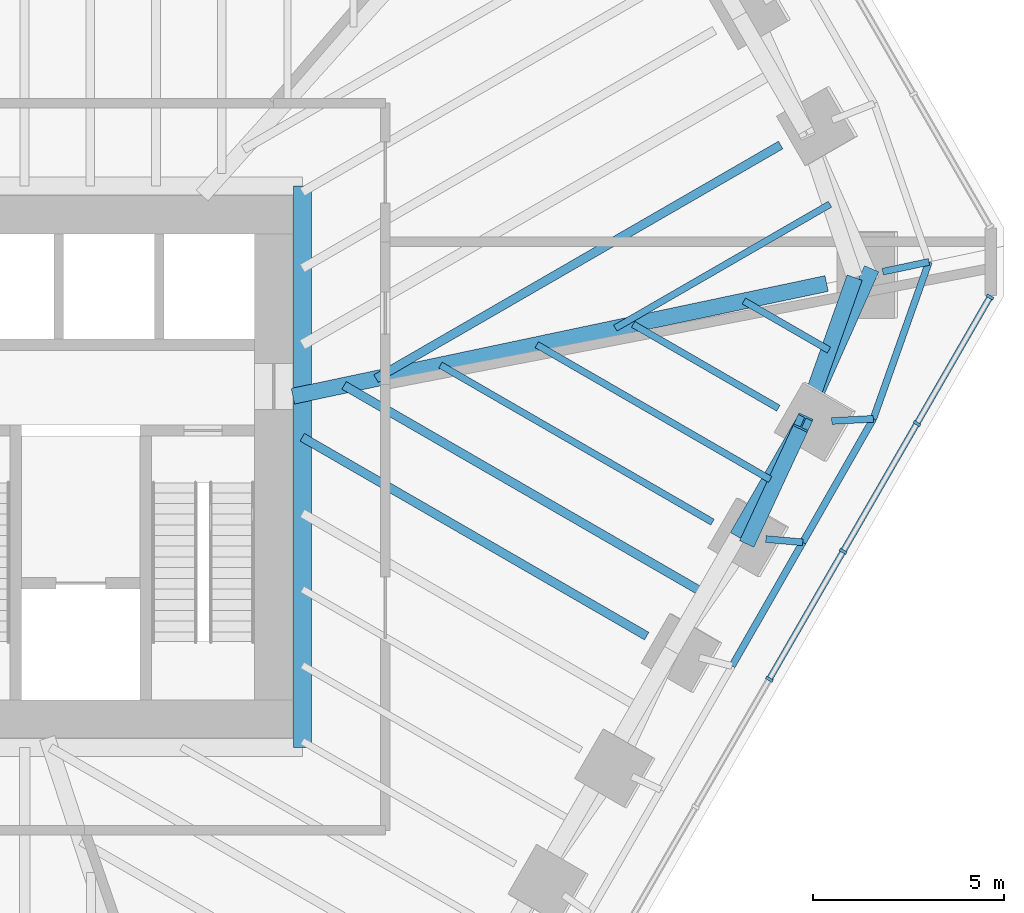
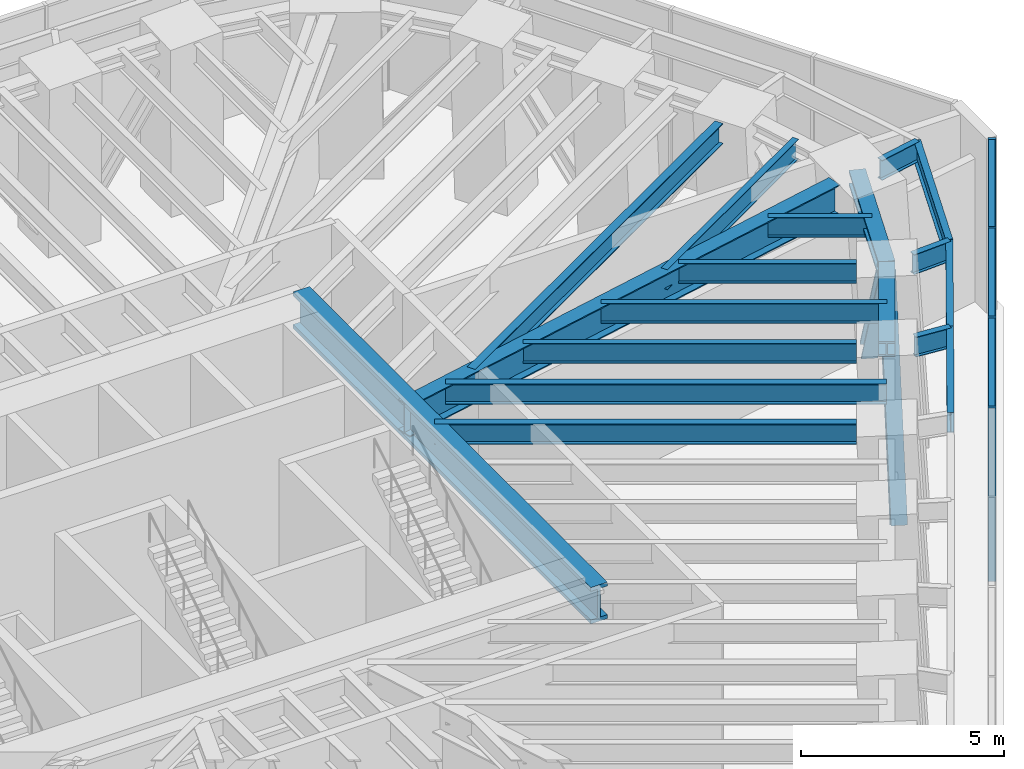
# One storey, part 6 of 13: 18 beams, 9 members, 1 element without a shape of its own.
"""IFC4 building model written with IfcOpenShell, lengths in metres."""

from ifc_helpers import new_model, si_unit, direction, frame, origin, origin_2d, place, context, subcontext, project, spatial, rectangle, i_section, extrude, material, material_profile, profile_set, type_object, element, aggregate, save


model = new_model("IFC4")

# Units and contexts
model_context = context("Model", 3, precision=1e-05, world=origin(), true_north=direction((0.0, 1.0)))
body_context = subcontext(model_context, "Body", "Model", "MODEL_VIEW")
ifc_project = project(units=[si_unit("LENGTHUNIT", "METRE"), si_unit("AREAUNIT", "SQUARE_METRE"), si_unit("VOLUMEUNIT", "CUBIC_METRE"), si_unit("PLANEANGLEUNIT", "RADIAN"), si_unit("MASSUNIT", "GRAM", prefix="KILO")], contexts=[model_context])

# Site, building, storey
site_placement = place(None, origin())
site = spatial("IfcSite", under=ifc_project, at=site_placement, CompositionType="ELEMENT")
building_placement = place(site_placement, origin())
building = spatial("IfcBuilding", under=site, at=building_placement, Name="Sandreach Pilgrim Tower", CompositionType="ELEMENT")
storey_placement = place(building_placement, frame((0.0, 0.0, 251.60009765625)))
storey = spatial("IfcBuildingStorey", under=building, at=storey_placement, Name="L63", CompositionType="ELEMENT", Elevation=251.60009765625)

# Beams
ifc_material_1 = material(Name="Steel ASTM A913 Grade 65", Category="steel")
ifc_material_profile_1 = material_profile(ifc_material_1, i_section(OverallWidth=0.419189453125, OverallDepth=0.45458984375, WebThickness=0.042236328125, FlangeThickness=0.067626953125, at=origin_2d()), Name="W14X370")
ifc_profile_set_1 = profile_set([ifc_material_profile_1], Name="Steel ASTM A913 Grade 65")
beam_type_1 = type_object("IfcBeamType", Name="Belt truss chord W14X370", PredefinedType="BEAM", material=ifc_profile_set_1)
beam_1_placement = place(storey_placement, frame((23.455810546875, 4.952392578125, 5.012451171875), z_axis=(-0.33481464839, -0.94228400773, 0.0), x_axis=(0.94228400773, -0.33481464839, 0.0)))
element("IfcBeam", 1, at=beam_1_placement, inside=storey, type_object=beam_type_1, Name="BM L63 BTT13", PredefinedType="BEAM", context=body_context, shape_type="SweptSolid", body=[
    extrude(i_section(OverallWidth=0.419189453125, OverallDepth=0.45458984375, WebThickness=0.042236328125, FlangeThickness=0.067626953125, at=origin_2d()), origin(), (0.0, 0.0, 1.0), 4.02587890625),
])
beam_2_placement = place(storey_placement, frame((22.10791015625, 1.158935546875, 5.012451171875), z_axis=(-0.500041441558, -0.866001476168, 0.0), x_axis=(0.866001476168, -0.500041441558, 0.0)))
element("IfcBeam", 2, at=beam_2_placement, inside=storey, type_object=beam_type_1, Name="BM L63 BTT14", PredefinedType="BEAM", context=body_context, shape_type="SweptSolid", body=[
    extrude(i_section(OverallWidth=0.419189453125, OverallDepth=0.45458984375, WebThickness=0.042236328125, FlangeThickness=0.067626953125, at=origin_2d()), origin(), (0.0, 0.0, 1.0), 3.445068359375),
])

# Members
ifc_material_2 = material(Name="Steel ASTM A913 Grade 65", Category="steel")
ifc_material_profile_2 = material_profile(ifc_material_2, i_section(OverallWidth=0.411376953125, OverallDepth=0.434326171875, WebThickness=0.035888671875, FlangeThickness=0.057373046875, at=origin_2d()), Name="W14X311")
ifc_profile_set_2 = profile_set([ifc_material_profile_2], Name="Steel ASTM A913 Grade 65")
member_type_1 = type_object("IfcMemberType", Name="Belt truss diagonal W14X311", PredefinedType="BRACE", material=ifc_profile_set_2)
member_1_placement = place(storey_placement, frame((23.832275390625, 5.03173828125, -0.387451171875), z_axis=(-0.251174770944, -0.564120825639, 0.786561458833), x_axis=(0.913538238369, -0.406752857442, 0.0)))
element("IfcMember", 3, at=member_1_placement, inside=storey, type_object=member_type_1, Name="Belt truss diagonal L63 bay 13", PredefinedType="BRACE", context=body_context, shape_type="SweptSolid", body=[
    extrude(i_section(OverallWidth=0.411376953125, OverallDepth=0.434326171875, WebThickness=0.035888671875, FlangeThickness=0.057373046875, at=origin_2d()), origin(), (0.0, 0.0, 1.0), 6.865234375),
])
member_2_placement = place(storey_placement, frame((22.10791015625, 1.158935546875, 5.012451171875), z_axis=(-0.220590655841, -0.475186470395, -0.851784938179), x_axis=(0.907032029662, -0.42106163108, 0.0)))
element("IfcMember", 4, at=member_2_placement, inside=storey, type_object=member_type_1, Name="Belt truss diagonal L63 bay 14", PredefinedType="BRACE", context=body_context, shape_type="SweptSolid", body=[
    extrude(i_section(OverallWidth=0.411376953125, OverallDepth=0.434326171875, WebThickness=0.035888671875, FlangeThickness=0.057373046875, at=origin_2d()), origin(), (0.0, 0.0, 1.0), 6.339599609375),
])

# Curtain wall, members
ifc_material_3 = material(Name="Aluminium framed curtain wall", Category="aluminium")
curtain_wall_type = type_object("IfcCurtainWallType", Name="Plant storey louvred curtain wall", PredefinedType="NOTDEFINED", material=ifc_material_3)
curtain_wall_placement = place(storey_placement, origin())
curtain_wall = element("IfcCurtainWall", 5, at=curtain_wall_placement, inside=storey, type_object=curtain_wall_type, Name="CW-L L63 SE", PredefinedType="NOTDEFINED")
ifc_material_4 = material(Name="Aluminium extrusion", Category="aluminium")
ifc_material_profile_3 = material_profile(ifc_material_4, rectangle(XDim=0.080078125, YDim=0.199951171875, at=origin_2d()), Name="CW-LM 80X200")
ifc_profile_set_3 = profile_set([ifc_material_profile_3], Name="Aluminium extrusion")
member_type_2 = type_object("IfcMemberType", Name="CW-L mullion", PredefinedType="MULLION", material=ifc_profile_set_3)
member_3_placement = place(storey_placement, frame((27.000244140625, 4.4453125, 0.0), z_axis=(0.0, 0.0, 1.0), x_axis=(-0.5, -0.866025403784, 0.0)))
member_3 = element("IfcMember", 6, at=member_3_placement, type_object=member_type_2, Name="CW-L mullion 1", PredefinedType="MULLION", context=body_context, shape_type="SweptSolid", body=[
    extrude(rectangle(XDim=0.080078125, YDim=0.199951171875, at=origin_2d()), origin(), (0.0, 0.0, 1.0), 5.239990234375),
])
member_4_placement = place(storey_placement, frame((25.087890625, 1.13330078125, 0.0), z_axis=(0.0, 0.0, 1.0), x_axis=(-0.5, -0.866025403784, 0.0)))
member_4 = element("IfcMember", 7, at=member_4_placement, type_object=member_type_2, Name="CW-L mullion 2", PredefinedType="MULLION", context=body_context, shape_type="SweptSolid", body=[
    extrude(rectangle(XDim=0.080078125, YDim=0.199951171875, at=origin_2d()), origin(), (0.0, 0.0, 1.0), 5.239990234375),
])
member_5_placement = place(storey_placement, frame((23.15576171875, -2.21337890625, 0.0), z_axis=(0.0, 0.0, 1.0), x_axis=(-0.5, -0.866025403784, 0.0)))
member_5 = element("IfcMember", 8, at=member_5_placement, type_object=member_type_2, Name="CW-L mullion 3", PredefinedType="MULLION", context=body_context, shape_type="SweptSolid", body=[
    extrude(rectangle(XDim=0.080078125, YDim=0.199951171875, at=origin_2d()), origin(), (0.0, 0.0, 1.0), 5.239990234375),
])
member_6_placement = place(storey_placement, frame((21.223388671875, -5.56005859375, 0.0), z_axis=(0.0, 0.0, 1.0), x_axis=(-0.5, -0.866025403784, 0.0)))
member_6 = element("IfcMember", 9, at=member_6_placement, type_object=member_type_2, Name="CW-L mullion 4", PredefinedType="MULLION", context=body_context, shape_type="SweptSolid", body=[
    extrude(rectangle(XDim=0.080078125, YDim=0.199951171875, at=origin_2d()), origin(), (0.0, 0.0, 1.0), 5.239990234375),
])
ifc_material_5 = material(Name="Aluminium extrusion", Category="aluminium")
ifc_material_profile_4 = material_profile(ifc_material_5, rectangle(XDim=0.159912109375, YDim=0.070068359375, at=origin_2d()), Name="CW-LT 160X70")
ifc_profile_set_4 = profile_set([ifc_material_profile_4], Name="Aluminium extrusion")
member_type_3 = type_object("IfcMemberType", Name="CW-L transom", PredefinedType="USERDEFINED", material=ifc_profile_set_4)
member_7_placement = place(storey_placement, frame((26.980224609375, 4.41064453125, 5.204833984375), z_axis=(-0.500030989569, -0.866007511209, 0.0), x_axis=(0.866007511209, -0.500030989569, 0.0)))
member_7 = element("IfcMember", 10, at=member_7_placement, type_object=member_type_3, Name="CW-L head transom 1", ObjectType="TRANSOM", PredefinedType="USERDEFINED", context=body_context, shape_type="SweptSolid", body=[
    extrude(rectangle(XDim=0.159912109375, YDim=0.070068359375, at=origin_2d()), origin(), (0.0, 0.0, 1.0), 3.744384765625),
])
member_8_placement = place(storey_placement, frame((25.06787109375, 1.0986328125, 5.204833984375), z_axis=(-0.499983064336, -0.866035181374, 0.0), x_axis=(0.866035181374, -0.499983064336, 0.0)))
member_8 = element("IfcMember", 11, at=member_8_placement, type_object=member_type_3, Name="CW-L head transom 2", ObjectType="TRANSOM", PredefinedType="USERDEFINED", context=body_context, shape_type="SweptSolid", body=[
    extrude(rectangle(XDim=0.159912109375, YDim=0.070068359375, at=origin_2d()), origin(), (0.0, 0.0, 1.0), 3.784423828125),
])
member_9_placement = place(storey_placement, frame((23.1357421875, -2.248046875, 5.204833984375), z_axis=(-0.500031448545, -0.866007246197, 0.0), x_axis=(0.866007246197, -0.500031448545, 0.0)))
member_9 = element("IfcMember", 12, at=member_9_placement, type_object=member_type_3, Name="CW-L head transom 3", ObjectType="TRANSOM", PredefinedType="USERDEFINED", context=body_context, shape_type="SweptSolid", body=[
    extrude(rectangle(XDim=0.159912109375, YDim=0.070068359375, at=origin_2d()), origin(), (0.0, 0.0, 1.0), 3.784423828125),
])
aggregate(curtain_wall, [member_3, member_4, member_5, member_6, member_7, member_8, member_9])

# Beams
ifc_material_6 = material(Name="Steel ASTM A992 Grade 50", Category="steel")
ifc_material_profile_5 = material_profile(ifc_material_6, i_section(OverallWidth=0.472412109375, OverallDepth=1.0947265625, WebThickness=0.07666015625, FlangeThickness=0.114990234375, at=origin_2d()), Name="W36X925")
ifc_profile_set_5 = profile_set([ifc_material_profile_5], Name="Steel ASTM A992 Grade 50")
beam_type_2 = type_object("IfcBeamType", Name="Core edge beam W36X925", PredefinedType="BEAM", material=ifc_profile_set_5)
beam_3_placement = place(storey_placement, frame((8.996337890625, 7.34619140625, 4.692626953125), z_axis=(0.0, -1.0, 0.0), x_axis=(1.0, 0.0, 0.0)))
element("IfcBeam", 13, at=beam_3_placement, inside=storey, type_object=beam_type_2, Name="BM L63 CEE", PredefinedType="BEAM", context=body_context, shape_type="SweptSolid", body=[
    extrude(i_section(OverallWidth=0.472412109375, OverallDepth=1.0947265625, WebThickness=0.07666015625, FlangeThickness=0.114990234375, at=origin_2d()), origin(), (0.0, 0.0, 1.0), 14.6923828125),
])
ifc_material_7 = material(Name="Steel ASTM A992 Grade 50", Category="steel")
ifc_material_profile_6 = material_profile(ifc_material_7, i_section(OverallWidth=0.419189453125, OverallDepth=0.927001953125, WebThickness=0.019287109375, FlangeThickness=0.031982421875, at=origin_2d()), Name="W36X231")
ifc_profile_set_6 = profile_set([ifc_material_profile_6], Name="Steel ASTM A992 Grade 50")
beam_type_3 = type_object("IfcBeamType", Name="Corner girder W36X231", PredefinedType="BEAM", material=ifc_profile_set_6)
beam_4_placement = place(storey_placement, frame((22.721923828125, 4.79736328125, 4.7763671875), z_axis=(-0.978429715267, -0.206579990033, 0.0), x_axis=(0.206579990033, -0.978429715267, 0.0)))
element("IfcBeam", 14, at=beam_4_placement, inside=storey, type_object=beam_type_3, Name="BM L63 CG13", PredefinedType="BEAM", context=body_context, shape_type="SweptSolid", body=[
    extrude(i_section(OverallWidth=0.419189453125, OverallDepth=0.927001953125, WebThickness=0.019287109375, FlangeThickness=0.031982421875, at=origin_2d()), origin(), (0.0, 0.0, 1.0), 14.280029296875),
])
ifc_material_8 = material(Name="Steel ASTM A992 Grade 50", Category="steel")
ifc_material_profile_7 = material_profile(ifc_material_8, i_section(OverallWidth=0.1787109375, OverallDepth=0.60205078125, WebThickness=0.010986328125, FlangeThickness=0.014892578125, at=origin_2d()), Name="W24X62")
ifc_profile_set_7 = profile_set([ifc_material_profile_7], Name="Steel ASTM A992 Grade 50")
beam_type_4 = type_object("IfcBeamType", Name="Floor beam W24X62", PredefinedType="BEAM", material=ifc_profile_set_7)
beam_5_placement = place(storey_placement, frame((21.458251953125, 1.533935546875, 4.93896484375), z_axis=(-0.866040137723, 0.499974479201, 0.0), x_axis=(-0.499974479201, -0.866040137723, 0.0)))
element("IfcBeam", 15, at=beam_5_placement, inside=storey, type_object=beam_type_4, Name="BM L63 F14", PredefinedType="BEAM", context=body_context, shape_type="SweptSolid", body=[
    extrude(i_section(OverallWidth=0.1787109375, OverallDepth=0.60205078125, WebThickness=0.010986328125, FlangeThickness=0.014892578125, at=origin_2d()), origin(), (0.0, 0.0, 1.0), 4.388427734375),
])
beam_6_placement = place(storey_placement, frame((19.73583984375, -1.449462890625, 4.93896484375), z_axis=(-0.866035319247, 0.499982825521, 0.0), x_axis=(-0.499982825521, -0.866035319247, 0.0)))
element("IfcBeam", 16, at=beam_6_placement, inside=storey, type_object=beam_type_4, Name="BM L63 F15", PredefinedType="BEAM", context=body_context, shape_type="SweptSolid", body=[
    extrude(i_section(OverallWidth=0.1787109375, OverallDepth=0.60205078125, WebThickness=0.010986328125, FlangeThickness=0.014892578125, at=origin_2d()), origin(), (0.0, 0.0, 1.0), 8.224853515625),
])
beam_7_placement = place(storey_placement, frame((22.8125, 6.875, 4.93896484375), z_axis=(-0.866023980233, -0.500002465655, 0.0), x_axis=(0.500002465655, -0.866023980233, 0.0)))
element("IfcBeam", 17, at=beam_7_placement, inside=storey, type_object=beam_type_4, Name="BM L63 FM12", PredefinedType="BEAM", context=body_context, shape_type="SweptSolid", body=[
    extrude(i_section(OverallWidth=0.1787109375, OverallDepth=0.60205078125, WebThickness=0.010986328125, FlangeThickness=0.014892578125, at=origin_2d()), origin(), (0.0, 0.0, 1.0), 6.49072265625),
])
beam_8_placement = place(storey_placement, frame((22.78173828125, 3.0556640625, 4.93896484375), z_axis=(-0.8660004255, 0.500043261163, 0.0), x_axis=(-0.500043261163, -0.8660004255, 0.0)))
element("IfcBeam", 18, at=beam_8_placement, inside=storey, type_object=beam_type_4, Name="BM L63 FM13", PredefinedType="BEAM", context=body_context, shape_type="SweptSolid", body=[
    extrude(i_section(OverallWidth=0.1787109375, OverallDepth=0.60205078125, WebThickness=0.010986328125, FlangeThickness=0.014892578125, at=origin_2d()), origin(), (0.0, 0.0, 1.0), 2.569091796875),
])
beam_9_placement = place(storey_placement, frame((21.24658203125, -0.332763671875, 4.93896484375), z_axis=(-0.866028878405, 0.499993981732, 0.0), x_axis=(-0.499993981732, -0.866028878405, 0.0)))
element("IfcBeam", 19, at=beam_9_placement, inside=storey, type_object=beam_type_4, Name="BM L63 FM14", PredefinedType="BEAM", context=body_context, shape_type="SweptSolid", body=[
    extrude(i_section(OverallWidth=0.1787109375, OverallDepth=0.60205078125, WebThickness=0.010986328125, FlangeThickness=0.014892578125, at=origin_2d()), origin(), (0.0, 0.0, 1.0), 7.056640625),
])
ifc_material_9 = material(Name="Steel ASTM A992 Grade 50", Category="steel")
ifc_material_profile_8 = material_profile(ifc_material_9, i_section(OverallWidth=0.23046875, OverallDepth=0.6171875, WebThickness=0.01318359375, FlangeThickness=0.022216796875, at=origin_2d()), Name="W24X94")
ifc_profile_set_8 = profile_set([ifc_material_profile_8], Name="Steel ASTM A992 Grade 50")
beam_type_5 = type_object("IfcBeamType", Name="Floor beam W24X94", PredefinedType="BEAM", material=ifc_profile_set_8)
beam_10_placement = place(storey_placement, frame((21.519775390625, 8.4228515625, 4.931396484375), z_axis=(-0.866026038864, -0.499998900008, 0.0), x_axis=(0.499998900008, -0.866026038864, 0.0)))
element("IfcBeam", 20, at=beam_10_placement, inside=storey, type_object=beam_type_5, Name="BM L63 F12", PredefinedType="BEAM", context=body_context, shape_type="SweptSolid", body=[
    extrude(i_section(OverallWidth=0.23046875, OverallDepth=0.6171875, WebThickness=0.01318359375, FlangeThickness=0.022216796875, at=origin_2d()), origin(), (0.0, 0.0, 1.0), 12.2314453125),
])
beam_11_placement = place(storey_placement, frame((18.01318359375, -4.43310546875, 4.931396484375), z_axis=(-0.866018067753, 0.500012706164, 0.0), x_axis=(-0.500012706164, -0.866018067753, 0.0)))
element("IfcBeam", 21, at=beam_11_placement, inside=storey, type_object=beam_type_5, Name="BM L63 F16", PredefinedType="BEAM", context=body_context, shape_type="SweptSolid", body=[
    extrude(i_section(OverallWidth=0.23046875, OverallDepth=0.6171875, WebThickness=0.01318359375, FlangeThickness=0.022216796875, at=origin_2d()), origin(), (0.0, 0.0, 1.0), 10.411865234375),
])
beam_12_placement = place(storey_placement, frame((19.52392578125, -3.316162109375, 4.931396484375), z_axis=(-0.866029205616, 0.499993414976, 0.0), x_axis=(-0.499993414976, -0.866029205616, 0.0)))
element("IfcBeam", 22, at=beam_12_placement, inside=storey, type_object=beam_type_5, Name="BM L63 FM15", PredefinedType="BEAM", context=body_context, shape_type="SweptSolid", body=[
    extrude(i_section(OverallWidth=0.23046875, OverallDepth=0.6171875, WebThickness=0.01318359375, FlangeThickness=0.022216796875, at=origin_2d()), origin(), (0.0, 0.0, 1.0), 10.893310546875),
])
ifc_material_10 = material(Name="Steel ASTM A992 Grade 50", Category="steel")
ifc_material_profile_9 = material_profile(ifc_material_10, i_section(OverallWidth=0.1787109375, OverallDepth=0.60205078125, WebThickness=0.010986328125, FlangeThickness=0.014892578125, at=origin_2d()), Name="W24X62")
ifc_profile_set_9 = profile_set([ifc_material_profile_9], Name="Steel ASTM A992 Grade 50")
beam_type_6 = type_object("IfcBeamType", Name="Setback roof edge beam W24X62", PredefinedType="BEAM", material=ifc_profile_set_9)
beam_13_placement = place(storey_placement, frame((25.401123046875, 5.363037109375, 4.89892578125), z_axis=(-0.334003731601, -0.942571751792, 0.0), x_axis=(0.942571751792, -0.334003731601, 0.0)))
element("IfcBeam", 23, at=beam_13_placement, inside=storey, type_object=beam_type_6, Name="BM L63 RE13", PredefinedType="BEAM", context=body_context, shape_type="SweptSolid", body=[
    extrude(i_section(OverallWidth=0.1787109375, OverallDepth=0.60205078125, WebThickness=0.010986328125, FlangeThickness=0.014892578125, at=origin_2d()), origin(), (0.0, 0.0, 1.0), 4.35791015625),
])
beam_14_placement = place(storey_placement, frame((23.945556640625, 1.25537109375, 4.89892578125), z_axis=(-0.49601889447, -0.868311727623, 0.0), x_axis=(0.868311727623, -0.49601889447, 0.0)))
element("IfcBeam", 24, at=beam_14_placement, inside=storey, type_object=beam_type_6, Name="BM L63 RE14", PredefinedType="BEAM", context=body_context, shape_type="SweptSolid", body=[
    extrude(i_section(OverallWidth=0.1787109375, OverallDepth=0.60205078125, WebThickness=0.010986328125, FlangeThickness=0.014892578125, at=origin_2d()), origin(), (0.0, 0.0, 1.0), 3.723388671875),
])
beam_15_placement = place(storey_placement, frame((22.0986328125, -1.977783203125, 4.89892578125), z_axis=(-0.496737827219, -0.867900645817, 0.0), x_axis=(0.867900645817, -0.496737827219, 0.0)))
element("IfcBeam", 25, at=beam_15_placement, inside=storey, type_object=beam_type_6, Name="BM L63 RE15", PredefinedType="BEAM", context=body_context, shape_type="SweptSolid", body=[
    extrude(i_section(OverallWidth=0.1787109375, OverallDepth=0.60205078125, WebThickness=0.010986328125, FlangeThickness=0.014892578125, at=origin_2d()), origin(), (0.0, 0.0, 1.0), 3.73095703125),
])
ifc_material_11 = material(Name="Steel ASTM A992 Grade 50", Category="steel")
ifc_material_profile_10 = material_profile(ifc_material_11, i_section(OverallWidth=0.1787109375, OverallDepth=0.60205078125, WebThickness=0.010986328125, FlangeThickness=0.014892578125, at=origin_2d()), Name="W24X62")
ifc_profile_set_10 = profile_set([ifc_material_profile_10], Name="Steel ASTM A992 Grade 50")
beam_type_7 = type_object("IfcBeamType", Name="Setback roof outlooker W24X62", PredefinedType="BEAM", material=ifc_profile_set_10)
beam_16_placement = place(storey_placement, frame((24.189697265625, 5.107177734375, 4.89892578125), z_axis=(0.978415683026, 0.206646440107, 0.0), x_axis=(-0.206646440107, 0.978415683026, 0.0)))
element("IfcBeam", 26, at=beam_16_placement, inside=storey, type_object=beam_type_7, Name="BM L63 OL13", PredefinedType="BEAM", context=body_context, shape_type="SweptSolid", body=[
    extrude(i_section(OverallWidth=0.1787109375, OverallDepth=0.60205078125, WebThickness=0.010986328125, FlangeThickness=0.014892578125, at=origin_2d()), origin(), (0.0, 0.0, 1.0), 1.238037109375),
])
beam_17_placement = place(storey_placement, frame((22.856689453125, 1.1982421875, 4.89892578125), z_axis=(0.998626475177, 0.052394303855, 0.0), x_axis=(-0.052394303855, 0.998626475177, 0.0)))
element("IfcBeam", 27, at=beam_17_placement, inside=storey, type_object=beam_type_7, Name="BM L63 OL14", PredefinedType="BEAM", context=body_context, shape_type="SweptSolid", body=[
    extrude(i_section(OverallWidth=0.1787109375, OverallDepth=0.60205078125, WebThickness=0.010986328125, FlangeThickness=0.014892578125, at=origin_2d()), origin(), (0.0, 0.0, 1.0), 1.09033203125),
])
beam_18_placement = place(storey_placement, frame((21.13232421875, -1.891357421875, 4.89892578125), z_axis=(0.99602416002, -0.08908351507, 0.0), x_axis=(0.08908351507, 0.99602416002, 0.0)))
element("IfcBeam", 28, at=beam_18_placement, inside=storey, type_object=beam_type_7, Name="BM L63 OL15", PredefinedType="BEAM", context=body_context, shape_type="SweptSolid", body=[
    extrude(i_section(OverallWidth=0.1787109375, OverallDepth=0.60205078125, WebThickness=0.010986328125, FlangeThickness=0.014892578125, at=origin_2d()), origin(), (0.0, 0.0, 1.0), 0.97021484375),
])

save(model, "model.ifc")
